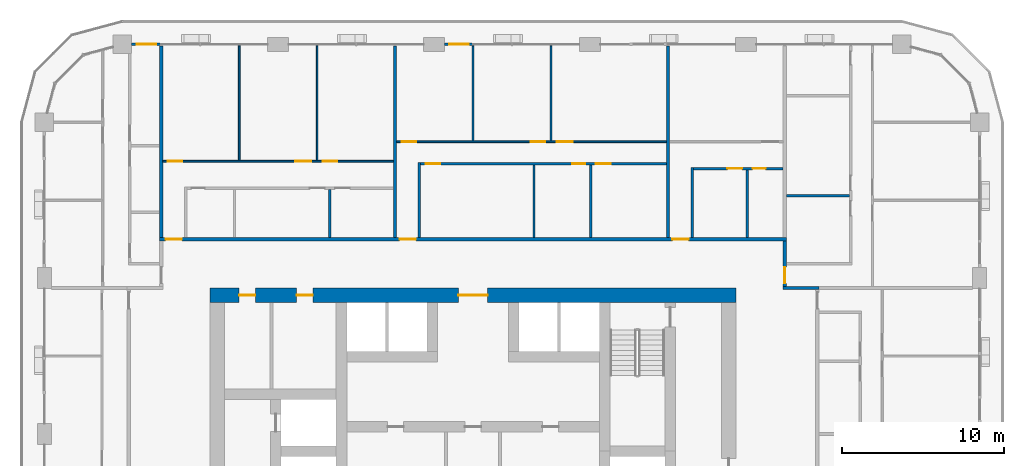
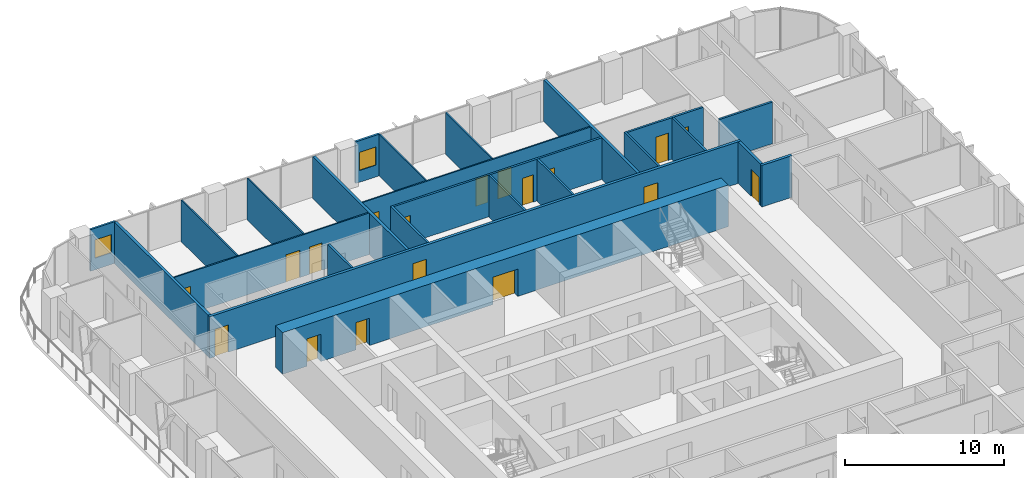
# One storey, part 14 of 21: 24 walls, 18 doors, 2 windows, 20 openings.
"""IFC4 building model written with IfcOpenShell, lengths in metres."""

from ifc_helpers import new_model, si_unit, direction, frame, frame_2d, origin, place, context, subcontext, project, spatial, rectangle, extrude, material, layer, layer_set, type_object, element, fill, save


model = new_model("IFC4")

# Units and contexts
model_context = context("Model", 3, precision=1e-05, world=origin(), true_north=direction((0.0, 1.0)))
body_context = subcontext(model_context, "Body", "Model", "MODEL_VIEW")
ifc_project = project(units=[si_unit("LENGTHUNIT", "METRE"), si_unit("AREAUNIT", "SQUARE_METRE"), si_unit("VOLUMEUNIT", "CUBIC_METRE"), si_unit("PLANEANGLEUNIT", "RADIAN"), si_unit("MASSUNIT", "GRAM", prefix="KILO")], contexts=[model_context])

# Site, building, storey
site_placement = place(None, origin())
site = spatial("IfcSite", under=ifc_project, at=site_placement, CompositionType="ELEMENT")
building_placement = place(site_placement, origin())
building = spatial("IfcBuilding", under=site, at=building_placement, Name="Madar Terraces", CompositionType="ELEMENT")
storey_placement = place(building_placement, frame((0.0, 0.0, 89.199951171875)))
storey = spatial("IfcBuildingStorey", under=building, at=storey_placement, Name="L22", CompositionType="ELEMENT", Elevation=89.199951171875)

# Wall, openings, doors
ifc_material_1 = material(Name="Concrete C80/95", Category="concrete")
ifc_layer_1 = layer(ifc_material_1, 0.89990234375)
ifc_layer_set_1 = layer_set([ifc_layer_1], Name="Concrete C80/95 (CRW2 RC wall 900)")
wall_type_1 = type_object("IfcWallType", Name="CRW2 RC wall 900", PredefinedType="SHEAR", material=ifc_layer_set_1)
wall_1_placement = place(storey_placement, frame((15.0, 37.35009765625, 0.0), z_axis=(0.0, 0.0, 1.0), x_axis=(1.0, 0.0, 0.0)))
wall_1 = element("IfcWall", 1, at=wall_1_placement, inside=storey, type_object=wall_type_1, Name="CORE OUTER WALL", PredefinedType="SHEAR", context=body_context, shape_type="SweptSolid", body=[
    extrude(rectangle(XDim=32.39990234375, YDim=0.89990234375, at=frame_2d((16.199951171875, 0.0))), origin(), (0.0, 0.0, 1.0), 3.199951171875),
])
opening_1_placement = place(wall_1_placement, frame((15.300048828125, 0.0, 0.0)))
opening_1 = element("IfcOpeningElement", 2, at=opening_1_placement, cuts=wall_1, Name="Opening KD1", PredefinedType="OPENING", context=body_context, shape_type="SweptSolid", body=[
    extrude(rectangle(XDim=1.800048828125, YDim=2.10009765625, at=frame_2d((0.89990234375, 1.050048828125))), frame((0.0, 0.4599609375, 0.0), z_axis=(0.0, -1.0, 0.0), x_axis=(1.0, 0.0, 0.0)), (0.0, 0.0, 1.0), 0.919921875),
])
opening_2_placement = place(wall_1_placement, frame((1.793701171875, 0.0, 0.0)))
opening_2 = element("IfcOpeningElement", 3, at=opening_2_placement, cuts=wall_1, Name="Opening KD2", PredefinedType="OPENING", context=body_context, shape_type="SweptSolid", body=[
    extrude(rectangle(XDim=1.0, YDim=2.10009765625, at=frame_2d((0.5, 1.050048828125))), frame((0.0, 0.4599609375, 0.0), z_axis=(0.0, -1.0, 0.0), x_axis=(1.0, 0.0, 0.0)), (0.0, 0.0, 1.0), 0.919921875),
])
opening_3_placement = place(wall_1_placement, frame((5.331298828125, 0.0, 0.0)))
opening_3 = element("IfcOpeningElement", 4, at=opening_3_placement, cuts=wall_1, Name="Opening KD2", PredefinedType="OPENING", context=body_context, shape_type="SweptSolid", body=[
    extrude(rectangle(XDim=1.0, YDim=2.10009765625, at=frame_2d((0.5, 1.050048828125))), frame((0.0, 0.4599609375, 0.0), z_axis=(0.0, -1.0, 0.0), x_axis=(1.0, 0.0, 0.0)), (0.0, 0.0, 1.0), 0.919921875),
])
ifc_material_2 = material(Name="Steel door leaf", Category="steel")
door_type_1 = type_object("IfcDoorType", Name="Lobby door pair 1800 x 2100", OperationType="DOUBLE_DOOR_SINGLE_SWING", PredefinedType="DOOR", material=ifc_material_2)
door_1_placement = place(opening_1_placement, origin())
door_1 = element("IfcDoor", 5, at=door_1_placement, inside=storey, type_object=door_type_1, Name="LIFT LOBBY DOOR", OperationType="DOUBLE_DOOR_SINGLE_SWING", OverallHeight=2.10009765625, OverallWidth=1.800048828125, PredefinedType="DOOR", context=body_context, shape_type="SweptSolid", body=[
    extrude(rectangle(XDim=1.800048828125, YDim=2.10009765625, at=frame_2d((0.89990234375, 1.050048828125))), frame((0.0, 0.02490234375, 0.0), z_axis=(0.0, -1.0, 0.0), x_axis=(1.0, 0.0, 0.0)), (0.0, 0.0, 1.0), 0.050048828125),
])
fill(opening_1, door_1)
ifc_material_3 = material(Name="Steel door leaf", Category="steel")
door_type_2 = type_object("IfcDoorType", Name="Service room door 1000 x 2100", OperationType="NOTDEFINED", PredefinedType="DOOR", material=ifc_material_3)
door_2_placement = place(opening_2_placement, origin())
door_2 = element("IfcDoor", 6, at=door_2_placement, inside=storey, type_object=door_type_2, Name="SERVICE ROOM DOOR", OperationType="SINGLE_SWING_LEFT", OverallHeight=2.10009765625, OverallWidth=1.0, PredefinedType="DOOR", context=body_context, shape_type="SweptSolid", body=[
    extrude(rectangle(XDim=1.0, YDim=2.10009765625, at=frame_2d((0.5, 1.050048828125))), frame((0.0, 0.02490234375, 0.0), z_axis=(0.0, -1.0, 0.0), x_axis=(1.0, 0.0, 0.0)), (0.0, 0.0, 1.0), 0.050048828125),
])
fill(opening_2, door_2)
door_3_placement = place(opening_3_placement, origin())
door_3 = element("IfcDoor", 7, at=door_3_placement, inside=storey, type_object=door_type_2, Name="SERVICE ROOM DOOR", OperationType="SINGLE_SWING_RIGHT", OverallHeight=2.10009765625, OverallWidth=1.0, PredefinedType="DOOR", context=body_context, shape_type="SweptSolid", body=[
    extrude(rectangle(XDim=1.0, YDim=2.10009765625, at=frame_2d((0.5, 1.050048828125))), frame((0.0, 0.02490234375, 0.0), z_axis=(0.0, -1.0, 0.0), x_axis=(1.0, 0.0, 0.0)), (0.0, 0.0, 1.0), 0.050048828125),
])
fill(opening_3, door_3)

# Wall, opening, window
ifc_material_4 = material(Name="Aluminium composite panel, black, over insulated backing", Category="aluminium")
ifc_layer_2 = layer(ifc_material_4, 0.14990234375)
ifc_layer_set_2 = layer_set([ifc_layer_2], Name="Facade bay panel 150")
wall_type_2 = type_object("IfcWallType", Name="Facade bay panel 150", PredefinedType="SOLIDWALL", material=ifc_layer_set_2)
wall_2_placement = place(storey_placement, frame((31.199951171875, 52.800048828125, 0.0), z_axis=(0.0, 0.0, 1.0), x_axis=(-1.0, 0.0, 0.0)))
wall_2 = element("IfcWall", 8, at=wall_2_placement, inside=storey, type_object=wall_type_2, Name="Facade bay panel", PredefinedType="SOLIDWALL", context=body_context, shape_type="SweptSolid", body=[
    extrude(rectangle(XDim=1.75, YDim=0.14990234375, at=frame_2d((0.875, 0.0))), origin(), (0.0, 0.0, 1.0), 3.199951171875),
])
opening_4_placement = place(wall_2_placement, frame((0.27490234375, 0.0, 0.89990234375)))
opening_4 = element("IfcOpeningElement", 9, at=opening_4_placement, cuts=wall_2, Name="Opening W1", PredefinedType="OPENING", context=body_context, shape_type="SweptSolid", body=[
    extrude(rectangle(XDim=1.199951171875, YDim=1.39990234375, at=frame_2d((0.60009765625, 0.699951171875))), frame((0.0, 0.0849609375, 0.0), z_axis=(0.0, -1.0, 0.0), x_axis=(1.0, 0.0, 0.0)), (0.0, 0.0, 1.0), 0.169921875),
])
ifc_material_5 = material(Name="Glass, clear, with black aluminium frame", Category="aluminium")
window_type = type_object("IfcWindowType", Name="Vent window 1200 x 1400", PartitioningType="SINGLE_PANEL", PredefinedType="WINDOW", material=ifc_material_5)
window_1_placement = place(opening_4_placement, origin())
window_1 = element("IfcWindow", 10, at=window_1_placement, inside=storey, type_object=window_type, Name="Operable vent window", OverallHeight=1.39990234375, OverallWidth=1.199951171875, PartitioningType="SINGLE_PANEL", PredefinedType="WINDOW", context=body_context, shape_type="SweptSolid", body=[
    extrude(rectangle(XDim=1.199951171875, YDim=1.39990234375, at=frame_2d((0.60009765625, 0.699951171875))), frame((0.0, 0.030029296875, 0.0), z_axis=(0.0, -1.0, 0.0), x_axis=(1.0, 0.0, 0.0)), (0.0, 0.0, 1.0), 0.06005859375),
])
fill(opening_4, window_1)

wall_3_placement = place(storey_placement, frame((12.0, 52.800048828125, 0.0), z_axis=(0.0, 0.0, 1.0), x_axis=(-1.0, 0.0, 0.0)))
wall_3 = element("IfcWall", 11, at=wall_3_placement, inside=storey, type_object=wall_type_2, Name="Facade bay panel", PredefinedType="SOLIDWALL", context=body_context, shape_type="SweptSolid", body=[
    extrude(rectangle(XDim=1.824951171875, YDim=0.14990234375, at=frame_2d((0.91259765625, 0.0))), origin(), (0.0, 0.0, 1.0), 3.199951171875),
])
opening_5_placement = place(wall_3_placement, frame((0.3125, 0.0, 0.89990234375)))
opening_5 = element("IfcOpeningElement", 12, at=opening_5_placement, cuts=wall_3, Name="Opening W1", PredefinedType="OPENING", context=body_context, shape_type="SweptSolid", body=[
    extrude(rectangle(XDim=1.199951171875, YDim=1.39990234375, at=frame_2d((0.60009765625, 0.699951171875))), frame((0.0, 0.0849609375, 0.0), z_axis=(0.0, -1.0, 0.0), x_axis=(1.0, 0.0, 0.0)), (0.0, 0.0, 1.0), 0.169921875),
])
window_2_placement = place(opening_5_placement, origin())
window_2 = element("IfcWindow", 13, at=window_2_placement, inside=storey, type_object=window_type, Name="Operable vent window", OverallHeight=1.39990234375, OverallWidth=1.199951171875, PartitioningType="SINGLE_PANEL", PredefinedType="WINDOW", context=body_context, shape_type="SweptSolid", body=[
    extrude(rectangle(XDim=1.199951171875, YDim=1.39990234375, at=frame_2d((0.60009765625, 0.699951171875))), frame((0.0, 0.030029296875, 0.0), z_axis=(0.0, -1.0, 0.0), x_axis=(1.0, 0.0, 0.0)), (0.0, 0.0, 1.0), 0.06005859375),
])
fill(opening_5, window_2)

# Walls
ifc_material_6 = material(Name="Gypsum board on steel studs", Category="steel")
ifc_layer_3 = layer(ifc_material_6, 0.10009765625)
ifc_layer_set_3 = layer_set([ifc_layer_3], Name="Flat partition 100")
wall_type_3 = type_object("IfcWallType", Name="Flat partition 100", PredefinedType="PARTITIONING", material=ifc_layer_set_3)
for number, where, z_axis, x_axis, name in (
    (14, (31.199951171875, 46.85009765625, 0.0), (0.0, 0.0, 1.0), (0.0, 1.0, 0.0), "Flat partition 100"),
    (15, (36.0, 46.85009765625, 0.0), (0.0, 0.0, 1.0), (0.0, 1.0, 0.0), "Flat partition 100"),
):
    element("IfcWall", number, at=place(storey_placement, frame(where, z_axis=z_axis, x_axis=x_axis)), inside=storey, type_object=wall_type_3, Name=name, PredefinedType="PARTITIONING", context=body_context, shape_type="SweptSolid", body=[
        extrude(rectangle(XDim=5.849853515625, YDim=0.10009765625, at=frame_2d((2.9248046875, 0.0))), origin(), (0.0, 0.0, 1.0), 3.199951171875),
    ])

# Wall, openings, doors
wall_4_placement = place(storey_placement, frame((26.5, 46.800048828125, 0.0), z_axis=(0.0, 0.0, 1.0), x_axis=(1.0, 0.0, 0.0)))
wall_4 = element("IfcWall", 16, at=wall_4_placement, inside=storey, type_object=wall_type_3, Name="Flat partition 100", PredefinedType="PARTITIONING", context=body_context, shape_type="SweptSolid", body=[
    extrude(rectangle(XDim=16.60009765625, YDim=0.10009765625, at=frame_2d((8.300048828125, 0.0))), origin(), (0.0, 0.0, 1.0), 3.199951171875),
])
opening_6_placement = place(wall_4_placement, frame((0.300048828125, 0.0, 0.0)))
opening_6 = element("IfcOpeningElement", 17, at=opening_6_placement, cuts=wall_4, Name="Opening D2", PredefinedType="OPENING", context=body_context, shape_type="SweptSolid", body=[
    extrude(rectangle(XDim=0.89990234375, YDim=2.10009765625, at=frame_2d((0.449951171875, 1.050048828125))), frame((0.0, 0.06005859375, 0.0), z_axis=(0.0, -1.0, 0.0), x_axis=(1.0, 0.0, 0.0)), (0.0, 0.0, 1.0), 0.1201171875),
])
opening_7_placement = place(wall_4_placement, frame((8.25, 0.0, 0.0)))
opening_7 = element("IfcOpeningElement", 18, at=opening_7_placement, cuts=wall_4, Name="Opening D2", PredefinedType="OPENING", context=body_context, shape_type="SweptSolid", body=[
    extrude(rectangle(XDim=0.89990234375, YDim=2.10009765625, at=frame_2d((0.449951171875, 1.050048828125))), frame((0.0, 0.06005859375, 0.0), z_axis=(0.0, -1.0, 0.0), x_axis=(1.0, 0.0, 0.0)), (0.0, 0.0, 1.0), 0.1201171875),
])
opening_8_placement = place(wall_4_placement, frame((9.85009765625, 0.0, 0.0)))
opening_8 = element("IfcOpeningElement", 19, at=opening_8_placement, cuts=wall_4, Name="Opening D3", PredefinedType="OPENING", context=body_context, shape_type="SweptSolid", body=[
    extrude(rectangle(XDim=1.0, YDim=2.10009765625, at=frame_2d((0.5, 1.050048828125))), frame((0.0, 0.06005859375, 0.0), z_axis=(0.0, -1.0, 0.0), x_axis=(1.0, 0.0, 0.0)), (0.0, 0.0, 1.0), 0.1201171875),
])
ifc_material_7 = material(Name="Timber door leaf", Category="wood")
door_type_3 = type_object("IfcDoorType", Name="Flat living room door 1000", OperationType="NOTDEFINED", PredefinedType="DOOR", material=ifc_material_7)
door_4_placement = place(opening_8_placement, origin())
door_4 = element("IfcDoor", 20, at=door_4_placement, inside=storey, type_object=door_type_3, Name="Flat living room door 1000", OperationType="SINGLE_SWING_LEFT", OverallHeight=2.10009765625, OverallWidth=1.0, PredefinedType="DOOR", context=body_context, shape_type="SweptSolid", body=[
    extrude(rectangle(XDim=1.0, YDim=2.10009765625, at=frame_2d((0.5, 1.050048828125))), frame((0.0, 0.02490234375, 0.0), z_axis=(0.0, -1.0, 0.0), x_axis=(1.0, 0.0, 0.0)), (0.0, 0.0, 1.0), 0.050048828125),
])
fill(opening_8, door_4)
ifc_material_8 = material(Name="Timber door leaf", Category="wood")
door_type_4 = type_object("IfcDoorType", Name="Flat room door 900", OperationType="NOTDEFINED", PredefinedType="DOOR", material=ifc_material_8)
door_5_placement = place(opening_6_placement, origin())
door_5 = element("IfcDoor", 21, at=door_5_placement, inside=storey, type_object=door_type_4, Name="Flat room door 900", OperationType="SINGLE_SWING_LEFT", OverallHeight=2.10009765625, OverallWidth=0.89990234375, PredefinedType="DOOR", context=body_context, shape_type="SweptSolid", body=[
    extrude(rectangle(XDim=0.89990234375, YDim=2.10009765625, at=frame_2d((0.449951171875, 1.050048828125))), frame((0.0, 0.02490234375, 0.0), z_axis=(0.0, -1.0, 0.0), x_axis=(1.0, 0.0, 0.0)), (0.0, 0.0, 1.0), 0.050048828125),
])
fill(opening_6, door_5)
door_6_placement = place(opening_7_placement, origin())
door_6 = element("IfcDoor", 22, at=door_6_placement, inside=storey, type_object=door_type_4, Name="Flat room door 900", OperationType="SINGLE_SWING_RIGHT", OverallHeight=2.10009765625, OverallWidth=0.89990234375, PredefinedType="DOOR", context=body_context, shape_type="SweptSolid", body=[
    extrude(rectangle(XDim=0.89990234375, YDim=2.10009765625, at=frame_2d((0.449951171875, 1.050048828125))), frame((0.0, 0.02490234375, 0.0), z_axis=(0.0, -1.0, 0.0), x_axis=(1.0, 0.0, 0.0)), (0.0, 0.0, 1.0), 0.050048828125),
])
fill(opening_7, door_6)

# Walls
for number, where, z_axis, x_axis, name in (
    (23, (16.800048828125, 45.64990234375, 0.0), (0.0, 0.0, 1.0), (0.0, 1.0, 0.0), "Flat partition 100"),
    (24, (21.60009765625, 45.64990234375, 0.0), (0.0, 0.0, 1.0), (0.0, 1.0, 0.0), "Flat partition 100"),
):
    element("IfcWall", number, at=place(storey_placement, frame(where, z_axis=z_axis, x_axis=x_axis)), inside=storey, type_object=wall_type_3, Name=name, PredefinedType="PARTITIONING", context=body_context, shape_type="SweptSolid", body=[
        extrude(rectangle(XDim=7.050048828125, YDim=0.10009765625, at=frame_2d((3.52490234375, 0.0))), origin(), (0.0, 0.0, 1.0), 3.199951171875),
    ])

# Wall, openings, doors
wall_5_placement = place(storey_placement, frame((12.10009765625, 45.60009765625, 0.0), z_axis=(0.0, 0.0, 1.0), x_axis=(1.0, 0.0, 0.0)))
wall_5 = element("IfcWall", 25, at=wall_5_placement, inside=storey, type_object=wall_type_3, Name="Flat partition 100", PredefinedType="PARTITIONING", context=body_context, shape_type="SweptSolid", body=[
    extrude(rectangle(XDim=14.199951171875, YDim=0.10009765625, at=frame_2d((7.10009765625, 0.0))), origin(), (0.0, 0.0, 1.0), 3.199951171875),
])
opening_9_placement = place(wall_5_placement, frame((0.300048828125, 0.0, 0.0)))
opening_9 = element("IfcOpeningElement", 26, at=opening_9_placement, cuts=wall_5, Name="Opening D2", PredefinedType="OPENING", context=body_context, shape_type="SweptSolid", body=[
    extrude(rectangle(XDim=0.89990234375, YDim=2.10009765625, at=frame_2d((0.449951171875, 1.050048828125))), frame((0.0, 0.06005859375, 0.0), z_axis=(0.0, -1.0, 0.0), x_axis=(1.0, 0.0, 0.0)), (0.0, 0.0, 1.0), 0.1201171875),
])
opening_10_placement = place(wall_5_placement, frame((8.14990234375, 0.0, 0.0)))
opening_10 = element("IfcOpeningElement", 27, at=opening_10_placement, cuts=wall_5, Name="Opening D3", PredefinedType="OPENING", context=body_context, shape_type="SweptSolid", body=[
    extrude(rectangle(XDim=1.0, YDim=2.10009765625, at=frame_2d((0.5, 1.050048828125))), frame((0.0, 0.06005859375, 0.0), z_axis=(0.0, -1.0, 0.0), x_axis=(1.0, 0.0, 0.0)), (0.0, 0.0, 1.0), 0.1201171875),
])
opening_11_placement = place(wall_5_placement, frame((9.85009765625, 0.0, 0.0)))
opening_11 = element("IfcOpeningElement", 28, at=opening_11_placement, cuts=wall_5, Name="Opening D2", PredefinedType="OPENING", context=body_context, shape_type="SweptSolid", body=[
    extrude(rectangle(XDim=0.89990234375, YDim=2.10009765625, at=frame_2d((0.449951171875, 1.050048828125))), frame((0.0, 0.06005859375, 0.0), z_axis=(0.0, -1.0, 0.0), x_axis=(1.0, 0.0, 0.0)), (0.0, 0.0, 1.0), 0.1201171875),
])
door_7_placement = place(opening_10_placement, origin())
door_7 = element("IfcDoor", 29, at=door_7_placement, inside=storey, type_object=door_type_3, Name="Flat living room door 1000", OperationType="SINGLE_SWING_RIGHT", OverallHeight=2.10009765625, OverallWidth=1.0, PredefinedType="DOOR", context=body_context, shape_type="SweptSolid", body=[
    extrude(rectangle(XDim=1.0, YDim=2.10009765625, at=frame_2d((0.5, 1.050048828125))), frame((0.0, 0.02490234375, 0.0), z_axis=(0.0, -1.0, 0.0), x_axis=(1.0, 0.0, 0.0)), (0.0, 0.0, 1.0), 0.050048828125),
])
fill(opening_10, door_7)
door_8_placement = place(opening_9_placement, origin())
door_8 = element("IfcDoor", 30, at=door_8_placement, inside=storey, type_object=door_type_4, Name="Flat room door 900", OperationType="SINGLE_SWING_LEFT", OverallHeight=2.10009765625, OverallWidth=0.89990234375, PredefinedType="DOOR", context=body_context, shape_type="SweptSolid", body=[
    extrude(rectangle(XDim=0.89990234375, YDim=2.10009765625, at=frame_2d((0.449951171875, 1.050048828125))), frame((0.0, 0.02490234375, 0.0), z_axis=(0.0, -1.0, 0.0), x_axis=(1.0, 0.0, 0.0)), (0.0, 0.0, 1.0), 0.050048828125),
])
fill(opening_9, door_8)
door_9_placement = place(opening_11_placement, origin())
door_9 = element("IfcDoor", 31, at=door_9_placement, inside=storey, type_object=door_type_4, Name="Flat room door 900", OperationType="SINGLE_SWING_LEFT", OverallHeight=2.10009765625, OverallWidth=0.89990234375, PredefinedType="DOOR", context=body_context, shape_type="SweptSolid", body=[
    extrude(rectangle(XDim=0.89990234375, YDim=2.10009765625, at=frame_2d((0.449951171875, 1.050048828125))), frame((0.0, 0.02490234375, 0.0), z_axis=(0.0, -1.0, 0.0), x_axis=(1.0, 0.0, 0.0)), (0.0, 0.0, 1.0), 0.050048828125),
])
fill(opening_11, door_9)

# Wall
ifc_material_9 = material(Name="Lightweight blockwork", Category="masonry")
ifc_layer_4 = layer(ifc_material_9, 0.199951171875)
ifc_layer_set_4 = layer_set([ifc_layer_4], Name="Flat party and entrance wall 200")
wall_type_4 = type_object("IfcWallType", Name="Flat party and entrance wall 200", PredefinedType="PARTITIONING", material=ifc_layer_set_4)
wall_6_placement = place(storey_placement, frame((52.5, 37.800048828125, 0.0), z_axis=(0.0, 0.0, 1.0), x_axis=(-1.0, 0.0, 0.0)))
element("IfcWall", 32, at=wall_6_placement, inside=storey, type_object=wall_type_4, Name="Flat party and entrance wall 200", PredefinedType="PARTITIONING", context=body_context, shape_type="SweptSolid", body=[
    extrude(rectangle(XDim=2.199951171875, YDim=0.199951171875, at=frame_2d((1.10009765625, 0.0))), origin(), (0.0, 0.0, 1.0), 3.199951171875),
])

# Wall, opening, door
wall_7_placement = place(storey_placement, frame((50.39990234375, 40.699951171875, 0.0), z_axis=(0.0, 0.0, 1.0), x_axis=(0.0, -1.0, 0.0)))
wall_7 = element("IfcWall", 33, at=wall_7_placement, inside=storey, type_object=wall_type_4, Name="Flat party and entrance wall 200", PredefinedType="PARTITIONING", context=body_context, shape_type="SweptSolid", body=[
    extrude(rectangle(XDim=2.800048828125, YDim=0.199951171875, at=frame_2d((1.39990234375, 0.0))), origin(), (0.0, 0.0, 1.0), 3.199951171875),
])
opening_12_placement = place(wall_7_placement, frame((1.625, 0.0, 0.0)))
opening_12 = element("IfcOpeningElement", 34, at=opening_12_placement, cuts=wall_7, Name="Opening D1", PredefinedType="OPENING", context=body_context, shape_type="SweptSolid", body=[
    extrude(rectangle(XDim=1.0, YDim=2.10009765625, at=frame_2d((0.5, 1.050048828125))), frame((0.0, 0.10986328125, 0.0), z_axis=(0.0, -1.0, 0.0), x_axis=(1.0, 0.0, 0.0)), (0.0, 0.0, 1.0), 0.219970703125),
])
ifc_material_10 = material(Name="Timber fire door leaf", Category="wood")
door_type_5 = type_object("IfcDoorType", Name="Flat entrance door 1000 FD30S", OperationType="NOTDEFINED", PredefinedType="DOOR", material=ifc_material_10)
door_10_placement = place(opening_12_placement, origin())
door_10 = element("IfcDoor", 35, at=door_10_placement, inside=storey, type_object=door_type_5, Name="Flat entrance door 1000 FD30S", OperationType="SINGLE_SWING_RIGHT", OverallHeight=2.10009765625, OverallWidth=1.0, PredefinedType="DOOR", context=body_context, shape_type="SweptSolid", body=[
    extrude(rectangle(XDim=1.0, YDim=2.10009765625, at=frame_2d((0.5, 1.050048828125))), frame((0.0, 0.02490234375, 0.0), z_axis=(0.0, -1.0, 0.0), x_axis=(1.0, 0.0, 0.0)), (0.0, 0.0, 1.0), 0.050048828125),
])
fill(opening_12, door_10)

# Wall, openings, doors
wall_8_placement = place(storey_placement, frame((11.89990234375, 40.800048828125, 0.0), z_axis=(0.0, 0.0, 1.0), x_axis=(1.0, 0.0, 0.0)))
wall_8 = element("IfcWall", 36, at=wall_8_placement, inside=storey, type_object=wall_type_4, Name="Flat party and entrance wall 200", PredefinedType="PARTITIONING", context=body_context, shape_type="SweptSolid", body=[
    extrude(rectangle(XDim=38.60009765625, YDim=0.199951171875, at=frame_2d((19.300048828125, 0.0))), origin(), (0.0, 0.0, 1.0), 3.199951171875),
])
opening_13_placement = place(wall_8_placement, frame((31.574951171875, 0.0, 0.0)))
opening_13 = element("IfcOpeningElement", 37, at=opening_13_placement, cuts=wall_8, Name="Opening D1", PredefinedType="OPENING", context=body_context, shape_type="SweptSolid", body=[
    extrude(rectangle(XDim=1.0, YDim=2.10009765625, at=frame_2d((0.5, 1.050048828125))), frame((0.0, 0.10986328125, 0.0), z_axis=(0.0, -1.0, 0.0), x_axis=(1.0, 0.0, 0.0)), (0.0, 0.0, 1.0), 0.219970703125),
])
opening_14_placement = place(wall_8_placement, frame((14.77490234375, 0.0, 0.0)))
opening_14 = element("IfcOpeningElement", 38, at=opening_14_placement, cuts=wall_8, Name="Opening D1", PredefinedType="OPENING", context=body_context, shape_type="SweptSolid", body=[
    extrude(rectangle(XDim=1.0, YDim=2.10009765625, at=frame_2d((0.5, 1.050048828125))), frame((0.0, 0.10986328125, 0.0), z_axis=(0.0, -1.0, 0.0), x_axis=(1.0, 0.0, 0.0)), (0.0, 0.0, 1.0), 0.219970703125),
])
opening_15_placement = place(wall_8_placement, frame((0.375, 0.0, 0.0)))
opening_15 = element("IfcOpeningElement", 39, at=opening_15_placement, cuts=wall_8, Name="Opening D1", PredefinedType="OPENING", context=body_context, shape_type="SweptSolid", body=[
    extrude(rectangle(XDim=1.0, YDim=2.10009765625, at=frame_2d((0.5, 1.050048828125))), frame((0.0, 0.10986328125, 0.0), z_axis=(0.0, -1.0, 0.0), x_axis=(1.0, 0.0, 0.0)), (0.0, 0.0, 1.0), 0.219970703125),
])
door_11_placement = place(opening_13_placement, origin())
door_11 = element("IfcDoor", 40, at=door_11_placement, inside=storey, type_object=door_type_5, Name="Flat entrance door 1000 FD30S", OperationType="SINGLE_SWING_LEFT", OverallHeight=2.10009765625, OverallWidth=1.0, PredefinedType="DOOR", context=body_context, shape_type="SweptSolid", body=[
    extrude(rectangle(XDim=1.0, YDim=2.10009765625, at=frame_2d((0.5, 1.050048828125))), frame((0.0, 0.02490234375, 0.0), z_axis=(0.0, -1.0, 0.0), x_axis=(1.0, 0.0, 0.0)), (0.0, 0.0, 1.0), 0.050048828125),
])
fill(opening_13, door_11)
door_12_placement = place(opening_14_placement, origin())
door_12 = element("IfcDoor", 41, at=door_12_placement, inside=storey, type_object=door_type_5, Name="Flat entrance door 1000 FD30S", OperationType="SINGLE_SWING_LEFT", OverallHeight=2.10009765625, OverallWidth=1.0, PredefinedType="DOOR", context=body_context, shape_type="SweptSolid", body=[
    extrude(rectangle(XDim=1.0, YDim=2.10009765625, at=frame_2d((0.5, 1.050048828125))), frame((0.0, 0.02490234375, 0.0), z_axis=(0.0, -1.0, 0.0), x_axis=(1.0, 0.0, 0.0)), (0.0, 0.0, 1.0), 0.050048828125),
])
fill(opening_14, door_12)
door_13_placement = place(opening_15_placement, origin())
door_13 = element("IfcDoor", 42, at=door_13_placement, inside=storey, type_object=door_type_5, Name="Flat entrance door 1000 FD30S", OperationType="SINGLE_SWING_LEFT", OverallHeight=2.10009765625, OverallWidth=1.0, PredefinedType="DOOR", context=body_context, shape_type="SweptSolid", body=[
    extrude(rectangle(XDim=1.0, YDim=2.10009765625, at=frame_2d((0.5, 1.050048828125))), frame((0.0, 0.02490234375, 0.0), z_axis=(0.0, -1.0, 0.0), x_axis=(1.0, 0.0, 0.0)), (0.0, 0.0, 1.0), 0.050048828125),
])
fill(opening_15, door_13)

# Walls
for number, where, z_axis, x_axis, name in (
    (43, (43.199951171875, 52.699951171875, 0.0), (0.0, 0.0, 1.0), (0.0, -1.0, 0.0), "Flat party and entrance wall 200"),
    (44, (26.39990234375, 52.699951171875, 0.0), (0.0, 0.0, 1.0), (0.0, -1.0, 0.0), "Flat party and entrance wall 200"),
    (45, (12.0, 52.699951171875, 0.0), (0.0, 0.0, 1.0), (0.0, -1.0, 0.0), "Flat party and entrance wall 200"),
):
    element("IfcWall", number, at=place(storey_placement, frame(where, z_axis=z_axis, x_axis=x_axis)), inside=storey, type_object=wall_type_4, Name=name, PredefinedType="PARTITIONING", context=body_context, shape_type="SweptSolid", body=[
        extrude(rectangle(XDim=11.800048828125, YDim=0.199951171875, at=frame_2d((5.89990234375, 0.0))), origin(), (0.0, 0.0, 1.0), 3.199951171875),
    ])
ifc_material_11 = material(Name="Lightweight blockwork", Category="masonry")
ifc_layer_5 = layer(ifc_material_11, 0.14990234375)
ifc_layer_set_5 = layer_set([ifc_layer_5], Name="Flat wet-room partition 150")
wall_type_5 = type_object("IfcWallType", Name="Flat wet-room partition 150", PredefinedType="PARTITIONING", material=ifc_layer_set_5)
wall_9_placement = place(storey_placement, frame((50.5, 43.47509765625, 0.0), z_axis=(0.0, 0.0, 1.0), x_axis=(1.0, 0.0, 0.0)))
element("IfcWall", 46, at=wall_9_placement, inside=storey, type_object=wall_type_5, Name="Flat wet-room partition 150", PredefinedType="PARTITIONING", context=body_context, shape_type="SweptSolid", body=[
    extrude(rectangle(XDim=3.875, YDim=0.14990234375, at=frame_2d((1.9375, 0.0))), origin(), (0.0, 0.0, 1.0), 3.199951171875),
])
wall_10_placement = place(storey_placement, frame((48.090087890625, 40.89990234375, 0.0), z_axis=(0.0, 0.0, 1.0), x_axis=(0.0, 1.0, 0.0)))
element("IfcWall", 47, at=wall_10_placement, inside=storey, type_object=wall_type_5, Name="Flat wet-room partition 150", PredefinedType="PARTITIONING", context=body_context, shape_type="SweptSolid", body=[
    extrude(rectangle(XDim=4.175048828125, YDim=0.14990234375, at=frame_2d((2.08740234375, 0.0))), origin(), (0.0, 0.0, 1.0), 3.199951171875),
])
wall_11_placement = place(storey_placement, frame((44.699951171875, 40.89990234375, 0.0), z_axis=(0.0, 0.0, 1.0), x_axis=(0.0, 1.0, 0.0)))
element("IfcWall", 48, at=wall_11_placement, inside=storey, type_object=wall_type_5, Name="Flat wet-room partition 150", PredefinedType="PARTITIONING", context=body_context, shape_type="SweptSolid", body=[
    extrude(rectangle(XDim=4.3251953125, YDim=0.14990234375, at=frame_2d((2.16259765625, 0.0))), origin(), (0.0, 0.0, 1.0), 3.199951171875),
])

# Wall, openings, doors
wall_12_placement = place(storey_placement, frame((50.300048828125, 45.14990234375, 0.0), z_axis=(0.0, 0.0, 1.0), x_axis=(-1.0, 0.0, 0.0)))
wall_12 = element("IfcWall", 49, at=wall_12_placement, inside=storey, type_object=wall_type_5, Name="Flat wet-room partition 150", PredefinedType="PARTITIONING", context=body_context, shape_type="SweptSolid", body=[
    extrude(rectangle(XDim=5.525146484375, YDim=0.14990234375, at=frame_2d((2.7626953125, 0.0))), origin(), (0.0, 0.0, 1.0), 3.199951171875),
])
opening_16_placement = place(wall_12_placement, frame((2.534912109375, 0.0, 0.0)))
opening_16 = element("IfcOpeningElement", 50, at=opening_16_placement, cuts=wall_12, Name="Opening D2", PredefinedType="OPENING", context=body_context, shape_type="SweptSolid", body=[
    extrude(rectangle(XDim=0.89990234375, YDim=2.10009765625, at=frame_2d((0.449951171875, 1.050048828125))), frame((0.0, 0.0849609375, 0.0), z_axis=(0.0, -1.0, 0.0), x_axis=(1.0, 0.0, 0.0)), (0.0, 0.0, 1.0), 0.169921875),
])
opening_17_placement = place(wall_12_placement, frame((1.0849609375, 0.0, 0.0)))
opening_17 = element("IfcOpeningElement", 51, at=opening_17_placement, cuts=wall_12, Name="Opening D4", PredefinedType="OPENING", context=body_context, shape_type="SweptSolid", body=[
    extrude(rectangle(XDim=0.800048828125, YDim=2.10009765625, at=frame_2d((0.39990234375, 1.050048828125))), frame((0.0, 0.0849609375, 0.0), z_axis=(0.0, -1.0, 0.0), x_axis=(1.0, 0.0, 0.0)), (0.0, 0.0, 1.0), 0.169921875),
])
ifc_material_12 = material(Name="Timber door leaf", Category="wood")
door_type_6 = type_object("IfcDoorType", Name="Flat bathroom door 800", OperationType="NOTDEFINED", PredefinedType="DOOR", material=ifc_material_12)
door_14_placement = place(opening_17_placement, origin())
door_14 = element("IfcDoor", 52, at=door_14_placement, inside=storey, type_object=door_type_6, Name="Flat bathroom door 800", OperationType="SINGLE_SWING_RIGHT", OverallHeight=2.10009765625, OverallWidth=0.800048828125, PredefinedType="DOOR", context=body_context, shape_type="SweptSolid", body=[
    extrude(rectangle(XDim=0.800048828125, YDim=2.10009765625, at=frame_2d((0.39990234375, 1.050048828125))), frame((0.0, 0.02490234375, 0.0), z_axis=(0.0, -1.0, 0.0), x_axis=(1.0, 0.0, 0.0)), (0.0, 0.0, 1.0), 0.050048828125),
])
fill(opening_17, door_14)
door_15_placement = place(opening_16_placement, origin())
door_15 = element("IfcDoor", 53, at=door_15_placement, inside=storey, type_object=door_type_4, Name="Flat room door 900", OperationType="SINGLE_SWING_LEFT", OverallHeight=2.10009765625, OverallWidth=0.89990234375, PredefinedType="DOOR", context=body_context, shape_type="SweptSolid", body=[
    extrude(rectangle(XDim=0.89990234375, YDim=2.10009765625, at=frame_2d((0.449951171875, 1.050048828125))), frame((0.0, 0.02490234375, 0.0), z_axis=(0.0, -1.0, 0.0), x_axis=(1.0, 0.0, 0.0)), (0.0, 0.0, 1.0), 0.050048828125),
])
fill(opening_16, door_15)

# Walls
for number, where, z_axis, x_axis, name in (
    (54, (34.955810546875, 40.89990234375, 0.0), (0.0, 0.0, 1.0), (0.0, 1.0, 0.0), "Flat wet-room partition 150"),
    (55, (38.4462890625, 40.89990234375, 0.0), (0.0, 0.0, 1.0), (0.0, 1.0, 0.0), "Flat wet-room partition 150"),
):
    element("IfcWall", number, at=place(storey_placement, frame(where, z_axis=z_axis, x_axis=x_axis)), inside=storey, type_object=wall_type_5, Name=name, PredefinedType="PARTITIONING", context=body_context, shape_type="SweptSolid", body=[
        extrude(rectangle(XDim=4.47509765625, YDim=0.14990234375, at=frame_2d((2.237548828125, 0.0))), origin(), (0.0, 0.0, 1.0), 3.199951171875),
    ])
wall_13_placement = place(storey_placement, frame((27.89990234375, 40.89990234375, 0.0), z_axis=(0.0, 0.0, 1.0), x_axis=(0.0, 1.0, 0.0)))
element("IfcWall", 56, at=wall_13_placement, inside=storey, type_object=wall_type_5, Name="Flat wet-room partition 150", PredefinedType="PARTITIONING", context=body_context, shape_type="SweptSolid", body=[
    extrude(rectangle(XDim=4.625, YDim=0.14990234375, at=frame_2d((2.3125, 0.0))), origin(), (0.0, 0.0, 1.0), 3.199951171875),
])

# Wall, openings, doors
wall_14_placement = place(storey_placement, frame((43.10009765625, 45.449951171875, 0.0), z_axis=(0.0, 0.0, 1.0), x_axis=(-1.0, 0.0, 0.0)))
wall_14 = element("IfcWall", 57, at=wall_14_placement, inside=storey, type_object=wall_type_5, Name="Flat wet-room partition 150", PredefinedType="PARTITIONING", context=body_context, shape_type="SweptSolid", body=[
    extrude(rectangle(XDim=15.125, YDim=0.14990234375, at=frame_2d((7.5625, 0.0))), origin(), (0.0, 0.0, 1.0), 3.199951171875),
])
opening_18_placement = place(wall_14_placement, frame((13.925048828125, 0.0, 0.0)))
opening_18 = element("IfcOpeningElement", 58, at=opening_18_placement, cuts=wall_14, Name="Opening D2", PredefinedType="OPENING", context=body_context, shape_type="SweptSolid", body=[
    extrude(rectangle(XDim=0.89990234375, YDim=2.10009765625, at=frame_2d((0.449951171875, 1.050048828125))), frame((0.0, 0.0849609375, 0.0), z_axis=(0.0, -1.0, 0.0), x_axis=(1.0, 0.0, 0.0)), (0.0, 0.0, 1.0), 0.169921875),
])
opening_19_placement = place(wall_14_placement, frame((4.978759765625, 0.0, 0.0)))
opening_19 = element("IfcOpeningElement", 59, at=opening_19_placement, cuts=wall_14, Name="Opening D4", PredefinedType="OPENING", context=body_context, shape_type="SweptSolid", body=[
    extrude(rectangle(XDim=0.800048828125, YDim=2.10009765625, at=frame_2d((0.39990234375, 1.050048828125))), frame((0.0, 0.0849609375, 0.0), z_axis=(0.0, -1.0, 0.0), x_axis=(1.0, 0.0, 0.0)), (0.0, 0.0, 1.0), 0.169921875),
])
opening_20_placement = place(wall_14_placement, frame((3.4287109375, 0.0, 0.0)))
opening_20 = element("IfcOpeningElement", 60, at=opening_20_placement, cuts=wall_14, Name="Opening D5", PredefinedType="OPENING", context=body_context, shape_type="SweptSolid", body=[
    extrude(rectangle(XDim=0.89990234375, YDim=2.10009765625, at=frame_2d((0.449951171875, 1.050048828125))), frame((0.0, 0.0849609375, 0.0), z_axis=(0.0, -1.0, 0.0), x_axis=(1.0, 0.0, 0.0)), (0.0, 0.0, 1.0), 0.169921875),
])
ifc_material_13 = material(Name="Timber door leaf", Category="wood")
door_type_7 = type_object("IfcDoorType", Name="Flat accessible bathroom door 900", OperationType="NOTDEFINED", PredefinedType="DOOR", material=ifc_material_13)
door_16_placement = place(opening_20_placement, origin())
door_16 = element("IfcDoor", 61, at=door_16_placement, inside=storey, type_object=door_type_7, Name="Flat accessible bathroom door 900", OperationType="SINGLE_SWING_RIGHT", OverallHeight=2.10009765625, OverallWidth=0.89990234375, PredefinedType="DOOR", context=body_context, shape_type="SweptSolid", body=[
    extrude(rectangle(XDim=0.89990234375, YDim=2.10009765625, at=frame_2d((0.449951171875, 1.050048828125))), frame((0.0, 0.02490234375, 0.0), z_axis=(0.0, -1.0, 0.0), x_axis=(1.0, 0.0, 0.0)), (0.0, 0.0, 1.0), 0.050048828125),
])
fill(opening_20, door_16)
door_17_placement = place(opening_19_placement, origin())
door_17 = element("IfcDoor", 62, at=door_17_placement, inside=storey, type_object=door_type_6, Name="Flat bathroom door 800", OperationType="SINGLE_SWING_LEFT", OverallHeight=2.10009765625, OverallWidth=0.800048828125, PredefinedType="DOOR", context=body_context, shape_type="SweptSolid", body=[
    extrude(rectangle(XDim=0.800048828125, YDim=2.10009765625, at=frame_2d((0.39990234375, 1.050048828125))), frame((0.0, 0.02490234375, 0.0), z_axis=(0.0, -1.0, 0.0), x_axis=(1.0, 0.0, 0.0)), (0.0, 0.0, 1.0), 0.050048828125),
])
fill(opening_19, door_17)
door_18_placement = place(opening_18_placement, origin())
door_18 = element("IfcDoor", 63, at=door_18_placement, inside=storey, type_object=door_type_4, Name="Flat room door 900", OperationType="SINGLE_SWING_RIGHT", OverallHeight=2.10009765625, OverallWidth=0.89990234375, PredefinedType="DOOR", context=body_context, shape_type="SweptSolid", body=[
    extrude(rectangle(XDim=0.89990234375, YDim=2.10009765625, at=frame_2d((0.449951171875, 1.050048828125))), frame((0.0, 0.02490234375, 0.0), z_axis=(0.0, -1.0, 0.0), x_axis=(1.0, 0.0, 0.0)), (0.0, 0.0, 1.0), 0.050048828125),
])
fill(opening_18, door_18)

# Wall
wall_15_placement = place(storey_placement, frame((22.384521484375, 40.89990234375, 0.0), z_axis=(0.0, 0.0, 1.0), x_axis=(0.0, 1.0, 0.0)))
element("IfcWall", 64, at=wall_15_placement, inside=storey, type_object=wall_type_5, Name="Flat wet-room partition 150", PredefinedType="PARTITIONING", context=body_context, shape_type="SweptSolid", body=[
    extrude(rectangle(XDim=2.97509765625, YDim=0.14990234375, at=frame_2d((1.487548828125, 0.0))), origin(), (0.0, 0.0, 1.0), 3.199951171875),
])

save(model, "model.ifc")
